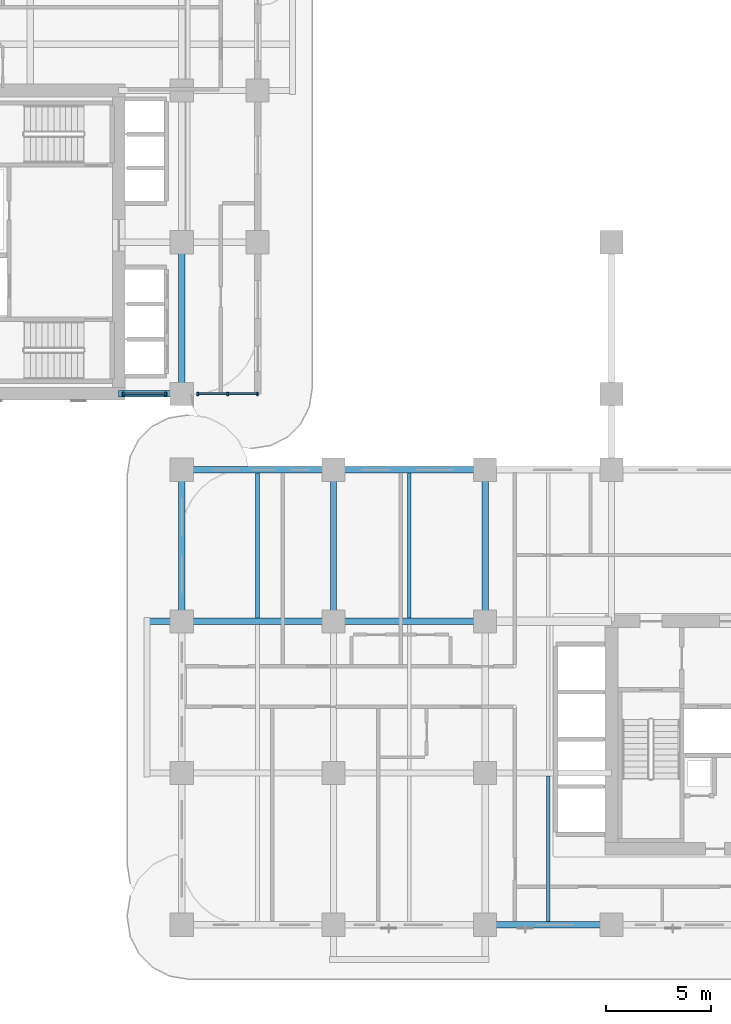
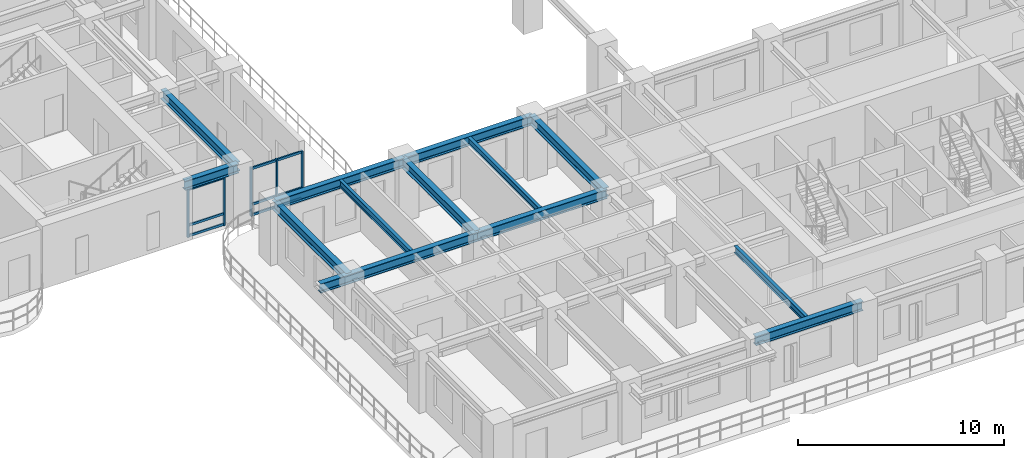
# One storey, part 2 of 19: 14 members, 13 beams, 2 elements without a shape of their own.
"""IFC4 building model written with IfcOpenShell, lengths in metres."""

from ifc_helpers import new_model, si_unit, derived_unit, direction, frame, origin, origin_2d, place, context, subcontext, project, spatial, rectangle, i_section, extrude, source, transform, mapped, material, layer, layer_set, material_profile, profile_set, type_object, type_shapes, element, aggregate, save


model = new_model("IFC4")

# Units and contexts
model_context = context("Model", 3, precision=1e-05, world=origin(), true_north=direction((0.0, 1.0)))
body_context = subcontext(model_context, "Body", "Model", "MODEL_VIEW")
ifc_project = project(units=[si_unit("LENGTHUNIT", "METRE"), si_unit("AREAUNIT", "SQUARE_METRE"), si_unit("VOLUMEUNIT", "CUBIC_METRE"), si_unit("PLANEANGLEUNIT", "RADIAN"), si_unit("MASSUNIT", "GRAM", prefix="KILO"), si_unit("THERMODYNAMICTEMPERATUREUNIT", "KELVIN"), si_unit("POWERUNIT", "WATT"), derived_unit("THERMALTRANSMITTANCEUNIT", [(si_unit("POWERUNIT", "WATT"), 1), (si_unit("AREAUNIT", "SQUARE_METRE"), -1), (si_unit("THERMODYNAMICTEMPERATUREUNIT", "KELVIN"), -1)])], contexts=[model_context])

# Site, building, storey
site_placement = place(None, origin())
site = spatial("IfcSite", under=ifc_project, at=site_placement, CompositionType="ELEMENT")
building_placement = place(site_placement, origin())
building = spatial("IfcBuilding", under=site, at=building_placement, Name="Zahravan Archway Hotel and Residences", CompositionType="ELEMENT")
storey_placement = place(building_placement, frame((0.0, 0.0, 54.60009765625)))
storey = spatial("IfcBuildingStorey", under=building, at=storey_placement, Name="L12", CompositionType="ELEMENT", Elevation=54.60009765625)

# Beams
ifc_material_1 = material(Name="Structural Steel S355JR", Category="steel")
ifc_material_profile_1 = material_profile(ifc_material_1, i_section(OverallWidth=0.300048828125, OverallDepth=0.550048828125, WebThickness=0.014892578125, FlangeThickness=0.029052734375, FilletRadius=0.027099609375, at=origin_2d()), Name="HEB 550", Category="steel")
ifc_profile_set_1 = profile_set([ifc_material_profile_1], Name="Structural Steel S355JR")
beam_type_1 = type_object("IfcBeamType", Name="BM-PRI-HEB550", PredefinedType="BEAM", material=ifc_profile_set_1)
shared_shape_1 = source(origin(), body_context, "Body", "SweptSolid", [
    extrude(i_section(OverallWidth=0.300048828125, OverallDepth=0.550048828125, WebThickness=0.014892578125, FlangeThickness=0.029052734375, FilletRadius=0.027099609375, at=origin_2d()), origin(), (0.0, 0.0, 1.0), 7.2001953125),
])
type_shapes(beam_type_1, [shared_shape_1])
for number, where, z_axis, x_axis, name in (
    (1, (14.39990234375, 21.60009765625, 3.1748046875), (1.0, 0.0, 0.0), (0.0, 1.0, 0.0), "L12 Primary Girder EW-14"),
    (2, (14.39990234375, 14.39990234375, 3.1748046875), (0.0, 1.0, 0.0), (-1.0, 0.0, 0.0), "L12 Primary Girder NS-33"),
    (3, (21.60009765625, 14.39990234375, 3.1748046875), (0.0, 1.0, 0.0), (-1.0, 0.0, 0.0), "L12 Primary Girder NS-39"),
    (4, (28.800048828125, 14.39990234375, 3.1748046875), (0.0, 1.0, 0.0), (-1.0, 0.0, 0.0), "L12 Primary Girder NS-42"),
):
    element("IfcBeam", number, at=place(storey_placement, frame(where, z_axis=z_axis, x_axis=x_axis)), inside=storey, type_object=beam_type_1, Name=name, PredefinedType="BEAM", context=body_context, shape_type="MappedRepresentation", body=[
        mapped(shared_shape_1, transform((0.0, 0.0, 0.0), scale=1.0)),
    ])
shared_shape_2 = source(origin(), body_context, "Body", "SweptSolid", [
    extrude(i_section(OverallWidth=0.300048828125, OverallDepth=0.550048828125, WebThickness=0.014892578125, FlangeThickness=0.029052734375, FilletRadius=0.027099609375, at=origin_2d()), origin(), (0.0, 0.0, 1.0), 7.199951171875),
])
for number, where, z_axis, x_axis, name in (
    (5, (21.60009765625, 14.39990234375, 3.1748046875), (1.0, 0.0, 0.0), (0.0, 1.0, 0.0), "L12 Primary Girder EW-12"),
    (6, (21.60009765625, 21.60009765625, 3.1748046875), (1.0, 0.0, 0.0), (0.0, 1.0, 0.0), "L12 Primary Girder EW-15"),
    (7, (14.39990234375, 25.199951171875, 3.1748046875), (0.0, 1.0, 0.0), (-1.0, 0.0, 0.0), "L12 Primary Girder NS-34"),
):
    element("IfcBeam", number, at=place(storey_placement, frame(where, z_axis=z_axis, x_axis=x_axis)), inside=storey, type_object=beam_type_1, Name=name, PredefinedType="BEAM", context=body_context, shape_type="MappedRepresentation", body=[
        mapped(shared_shape_2, transform((0.0, 0.0, 0.0), scale=1.0)),
    ])
shared_shape_3 = source(origin(), body_context, "Body", "SweptSolid", [
    extrude(i_section(OverallWidth=0.300048828125, OverallDepth=0.550048828125, WebThickness=0.014892578125, FlangeThickness=0.029052734375, FilletRadius=0.027099609375, at=origin_2d()), origin(), (0.0, 0.0, 1.0), 6.0),
])
beam_1_placement = place(storey_placement, frame((28.800048828125, 0.0, 3.1748046875), z_axis=(1.0, 0.0, 0.0), x_axis=(0.0, 1.0, 0.0)))
element("IfcBeam", 8, at=beam_1_placement, inside=storey, type_object=beam_type_1, Name="L12 Primary Girder EW-03", PredefinedType="BEAM", context=body_context, shape_type="MappedRepresentation", body=[
    mapped(shared_shape_3, transform((0.0, 0.0, 0.0), scale=1.0)),
])
shared_shape_4 = source(origin(), body_context, "Body", "SweptSolid", [
    extrude(i_section(OverallWidth=0.300048828125, OverallDepth=0.550048828125, WebThickness=0.014892578125, FlangeThickness=0.029052734375, FilletRadius=0.027099609375, at=origin_2d()), origin(), (0.0, 0.0, 1.0), 8.85009765625),
])
beam_2_placement = place(storey_placement, frame((12.75, 14.39990234375, 3.1748046875), z_axis=(1.0, 0.0, 0.0), x_axis=(0.0, 1.0, 0.0)))
element("IfcBeam", 9, at=beam_2_placement, inside=storey, type_object=beam_type_1, Name="L12 Primary Girder EW-11", PredefinedType="BEAM", context=body_context, shape_type="MappedRepresentation", body=[
    mapped(shared_shape_4, transform((0.0, 0.0, 0.0), scale=1.0)),
])
shared_shape_5 = source(origin(), body_context, "Body", "SweptSolid", [
    extrude(i_section(OverallWidth=0.300048828125, OverallDepth=0.550048828125, WebThickness=0.014892578125, FlangeThickness=0.029052734375, FilletRadius=0.027099609375, at=origin_2d()), origin(), (0.0, 0.0, 1.0), 3.0),
])
beam_3_placement = place(storey_placement, frame((11.39990234375, 25.199951171875, 3.1748046875), z_axis=(1.0, 0.0, 0.0), x_axis=(0.0, 1.0, 0.0)))
element("IfcBeam", 10, at=beam_3_placement, inside=storey, type_object=beam_type_1, Name="L12 Primary Girder EW-20", PredefinedType="BEAM", context=body_context, shape_type="MappedRepresentation", body=[
    mapped(shared_shape_5, transform((0.0, 0.0, 0.0), scale=1.0)),
])
ifc_material_profile_2 = material_profile(ifc_material_1, i_section(OverallWidth=0.179931640625, OverallDepth=0.39990234375, WebThickness=0.008544921875, FlangeThickness=0.013427734375, FilletRadius=0.02099609375, at=origin_2d()), Name="IPE 400", Category="steel")
ifc_profile_set_2 = profile_set([ifc_material_profile_2], Name="Structural Steel S355JR")
beam_type_2 = type_object("IfcBeamType", Name="BM-JST-IPE400", PredefinedType="JOIST", material=ifc_profile_set_2)
shared_shape_6 = source(origin(), body_context, "Body", "SweptSolid", [
    extrude(i_section(OverallWidth=0.179931640625, OverallDepth=0.39990234375, WebThickness=0.008544921875, FlangeThickness=0.013427734375, FilletRadius=0.02099609375, at=origin_2d()), origin(), (0.0, 0.0, 1.0), 6.904052734375),
])
type_shapes(beam_type_2, [shared_shape_6])
beam_4_placement = place(storey_placement, frame((31.800048828125, 0.14794921875, 3.25), z_axis=(0.0, 1.0, 0.0), x_axis=(-1.0, 0.0, 0.0)))
element("IfcBeam", 11, at=beam_4_placement, inside=storey, type_object=beam_type_2, Name="L12 Composite Floor Joist 03", PredefinedType="JOIST", context=body_context, shape_type="MappedRepresentation", body=[
    mapped(shared_shape_6, transform((0.0, 0.0, 0.0), scale=1.0)),
])
shared_shape_7 = source(origin(), body_context, "Body", "SweptSolid", [
    extrude(i_section(OverallWidth=0.179931640625, OverallDepth=0.39990234375, WebThickness=0.008544921875, FlangeThickness=0.013427734375, FilletRadius=0.02099609375, at=origin_2d()), origin(), (0.0, 0.0, 1.0), 6.90380859375),
])
for number, where, z_axis, x_axis, name in (
    (12, (18.0, 14.548095703125, 3.25), (0.0, 1.0, 0.0), (-1.0, 0.0, 0.0), "L12 Composite Floor Joist 10"),
    (13, (25.199951171875, 14.548095703125, 3.25), (0.0, 1.0, 0.0), (-1.0, 0.0, 0.0), "L12 Composite Floor Joist 11"),
):
    element("IfcBeam", number, at=place(storey_placement, frame(where, z_axis=z_axis, x_axis=x_axis)), inside=storey, type_object=beam_type_2, Name=name, PredefinedType="JOIST", context=body_context, shape_type="MappedRepresentation", body=[
        mapped(shared_shape_7, transform((0.0, 0.0, 0.0), scale=1.0)),
    ])

# Curtain wall, members
ifc_material_2 = material(Name="Bronze-Anodized Unitised Aluminium & Low-E Glass", Category="aluminium")
ifc_layer = layer(ifc_material_2, 0.179931640625, Name="Bronze-Anodized Unitised Aluminium & Low-E Glass", Category="aluminium")
ifc_layer_set = layer_set([ifc_layer], Name="Bronze-Anodized Unitised Aluminium & Low-E Glass")
curtain_wall_type = type_object("IfcCurtainWallType", Name="CW-TWR-FEAT", PredefinedType="NOTDEFINED", material=ifc_layer_set)
curtain_wall_1_placement = place(storey_placement, origin())
curtain_wall_1 = element("IfcCurtainWall", 14, at=curtain_wall_1_placement, inside=storey, type_object=curtain_wall_type, Name="L12 Curtain Wall CW-L12-WB-SE-2", PredefinedType="NOTDEFINED")
ifc_material_3 = material(Name="Bronze-Anodized Extruded Aluminium", Category="aluminium")
ifc_material_profile_3 = material_profile(ifc_material_3, rectangle(XDim=0.080078125, YDim=0.139892578125, at=origin_2d()), Name="TRN 80x140", Category="aluminium")
ifc_profile_set_3 = profile_set([ifc_material_profile_3], Name="Bronze-Anodized Extruded Aluminium")
member_type_1 = type_object("IfcMemberType", Name="CWM-TRN-140", PredefinedType="USERDEFINED", material=ifc_profile_set_3)
shared_shape_8 = source(origin(), body_context, "Body", "SweptSolid", [
    extrude(rectangle(XDim=0.080078125, YDim=0.139892578125, at=origin_2d()), origin(), (0.0, 0.0, 1.0), 1.33984375),
])
member_1_placement = place(storey_placement, frame((16.6201171875, 25.199951171875, 0.06982421875), z_axis=(1.0, 0.0, 0.0), x_axis=(0.0, 1.0, 0.0)))
member_1 = element("IfcMember", 15, at=member_1_placement, type_object=member_type_1, Name="CW-L12-WB-SE-2 Transom 1-1", ObjectType="TRANSOM", PredefinedType="USERDEFINED", context=body_context, shape_type="MappedRepresentation", body=[
    mapped(shared_shape_8, transform((0.0, 0.0, 0.0), scale=1.0)),
])
member_2_placement = place(storey_placement, frame((16.6201171875, 25.199951171875, 0.6923828125), z_axis=(1.0, 0.0, 0.0), x_axis=(0.0, 1.0, 0.0)))
member_2 = element("IfcMember", 16, at=member_2_placement, type_object=member_type_1, Name="CW-L12-WB-SE-2 Transom 1-2", ObjectType="TRANSOM", PredefinedType="USERDEFINED", context=body_context, shape_type="MappedRepresentation", body=[
    mapped(shared_shape_8, transform((0.0, 0.0, 0.0), scale=1.0)),
])
member_3_placement = place(storey_placement, frame((16.6201171875, 25.199951171875, 2.81494140625), z_axis=(1.0, 0.0, 0.0), x_axis=(0.0, 1.0, 0.0)))
member_3 = element("IfcMember", 17, at=member_3_placement, type_object=member_type_1, Name="CW-L12-WB-SE-2 Transom 1-3", ObjectType="TRANSOM", PredefinedType="USERDEFINED", context=body_context, shape_type="MappedRepresentation", body=[
    mapped(shared_shape_8, transform((0.0, 0.0, 0.0), scale=1.0)),
])
shared_shape_9 = source(origin(), body_context, "Body", "SweptSolid", [
    extrude(rectangle(XDim=0.080078125, YDim=0.139892578125, at=origin_2d()), origin(), (0.0, 0.0, 1.0), 1.340087890625),
])
member_4_placement = place(storey_placement, frame((15.199951171875, 25.199951171875, 0.06982421875), z_axis=(1.0, 0.0, 0.0), x_axis=(0.0, 1.0, 0.0)))
member_4 = element("IfcMember", 18, at=member_4_placement, type_object=member_type_1, Name="CW-L12-WB-SE-2 Transom 0-1", ObjectType="TRANSOM", PredefinedType="USERDEFINED", context=body_context, shape_type="MappedRepresentation", body=[
    mapped(shared_shape_9, transform((0.0, 0.0, 0.0), scale=1.0)),
])
member_5_placement = place(storey_placement, frame((15.199951171875, 25.199951171875, 0.6923828125), z_axis=(1.0, 0.0, 0.0), x_axis=(0.0, 1.0, 0.0)))
member_5 = element("IfcMember", 19, at=member_5_placement, type_object=member_type_1, Name="CW-L12-WB-SE-2 Transom 0-2", ObjectType="TRANSOM", PredefinedType="USERDEFINED", context=body_context, shape_type="MappedRepresentation", body=[
    mapped(shared_shape_9, transform((0.0, 0.0, 0.0), scale=1.0)),
])
member_6_placement = place(storey_placement, frame((15.199951171875, 25.199951171875, 2.81494140625), z_axis=(1.0, 0.0, 0.0), x_axis=(0.0, 1.0, 0.0)))
member_6 = element("IfcMember", 20, at=member_6_placement, type_object=member_type_1, Name="CW-L12-WB-SE-2 Transom 0-3", ObjectType="TRANSOM", PredefinedType="USERDEFINED", context=body_context, shape_type="MappedRepresentation", body=[
    mapped(shared_shape_9, transform((0.0, 0.0, 0.0), scale=1.0)),
])

curtain_wall_2_placement = place(storey_placement, origin())
curtain_wall_2 = element("IfcCurtainWall", 21, at=curtain_wall_2_placement, inside=storey, type_object=curtain_wall_type, Name="L12 Curtain Wall CW-L12-WB-SE-1", PredefinedType="NOTDEFINED")
ifc_material_profile_4 = material_profile(ifc_material_3, rectangle(XDim=0.080078125, YDim=0.159912109375, at=origin_2d()), Name="MUL 80x160", Category="aluminium")
ifc_profile_set_4 = profile_set([ifc_material_profile_4], Name="Bronze-Anodized Extruded Aluminium")
member_type_2 = type_object("IfcMemberType", Name="CWM-MUL-160", PredefinedType="MULLION", material=ifc_profile_set_4)
shared_shape_10 = source(origin(), body_context, "Body", "SweptSolid", [
    extrude(rectangle(XDim=0.080078125, YDim=0.159912109375, at=origin_2d()), origin(), (0.0, 0.0, 1.0), 2.885009765625),
])
member_7_placement = place(storey_placement, frame((11.6201171875, 25.199951171875, 0.0), z_axis=(0.0, 0.0, 1.0), x_axis=(1.0, 0.0, 0.0)))
member_7 = element("IfcMember", 22, at=member_7_placement, type_object=member_type_2, Name="CW-L12-WB-SE-1 Mullion 0", PredefinedType="MULLION", context=body_context, shape_type="MappedRepresentation", body=[
    mapped(shared_shape_10, transform((0.0, 0.0, 0.0), scale=1.0)),
])
member_8_placement = place(storey_placement, frame((13.639892578125, 25.199951171875, 0.0), z_axis=(0.0, 0.0, 1.0), x_axis=(1.0, 0.0, 0.0)))
member_8 = element("IfcMember", 23, at=member_8_placement, type_object=member_type_2, Name="CW-L12-WB-SE-1 Mullion 1", PredefinedType="MULLION", context=body_context, shape_type="MappedRepresentation", body=[
    mapped(shared_shape_10, transform((0.0, 0.0, 0.0), scale=1.0)),
])

# Member
member_9_placement = place(storey_placement, frame((15.159912109375, 25.199951171875, 0.0), z_axis=(0.0, 0.0, 1.0), x_axis=(1.0, 0.0, 0.0)))
member_9 = element("IfcMember", 24, at=member_9_placement, type_object=member_type_2, Name="CW-L12-WB-SE-2 Mullion 0", PredefinedType="MULLION", context=body_context, shape_type="MappedRepresentation", body=[
    mapped(shared_shape_10, transform((0.0, 0.0, 0.0), scale=1.0)),
])

member_10_placement = place(storey_placement, frame((16.580078125, 25.199951171875, 0.0), z_axis=(0.0, 0.0, 1.0), x_axis=(1.0, 0.0, 0.0)))
member_10 = element("IfcMember", 25, at=member_10_placement, type_object=member_type_2, Name="CW-L12-WB-SE-2 Mullion 1", PredefinedType="MULLION", context=body_context, shape_type="MappedRepresentation", body=[
    mapped(shared_shape_10, transform((0.0, 0.0, 0.0), scale=1.0)),
])

member_11_placement = place(storey_placement, frame((18.0, 25.199951171875, 0.0), z_axis=(0.0, 0.0, 1.0), x_axis=(1.0, 0.0, 0.0)))
member_11 = element("IfcMember", 26, at=member_11_placement, type_object=member_type_2, Name="CW-L12-WB-SE-2 Mullion 2", PredefinedType="MULLION", context=body_context, shape_type="MappedRepresentation", body=[
    mapped(shared_shape_10, transform((0.0, 0.0, 0.0), scale=1.0)),
])

aggregate(curtain_wall_1, [member_9, member_10, member_11, member_4, member_5, member_6, member_1, member_2, member_3])

shared_shape_11 = source(origin(), body_context, "Body", "SweptSolid", [
    extrude(rectangle(XDim=0.080078125, YDim=0.139892578125, at=origin_2d()), origin(), (0.0, 0.0, 1.0), 1.940185546875),
])
member_12_placement = place(storey_placement, frame((11.659912109375, 25.199951171875, 0.06982421875), z_axis=(1.0, 0.0, 0.0), x_axis=(0.0, 1.0, 0.0)))
member_12 = element("IfcMember", 27, at=member_12_placement, type_object=member_type_1, Name="CW-L12-WB-SE-1 Transom 0-1", ObjectType="TRANSOM", PredefinedType="USERDEFINED", context=body_context, shape_type="MappedRepresentation", body=[
    mapped(shared_shape_11, transform((0.0, 0.0, 0.0), scale=1.0)),
])

member_13_placement = place(storey_placement, frame((11.659912109375, 25.199951171875, 0.6923828125), z_axis=(1.0, 0.0, 0.0), x_axis=(0.0, 1.0, 0.0)))
member_13 = element("IfcMember", 28, at=member_13_placement, type_object=member_type_1, Name="CW-L12-WB-SE-1 Transom 0-2", ObjectType="TRANSOM", PredefinedType="USERDEFINED", context=body_context, shape_type="MappedRepresentation", body=[
    mapped(shared_shape_11, transform((0.0, 0.0, 0.0), scale=1.0)),
])

member_14_placement = place(storey_placement, frame((11.659912109375, 25.199951171875, 2.81494140625), z_axis=(1.0, 0.0, 0.0), x_axis=(0.0, 1.0, 0.0)))
member_14 = element("IfcMember", 29, at=member_14_placement, type_object=member_type_1, Name="CW-L12-WB-SE-1 Transom 0-3", ObjectType="TRANSOM", PredefinedType="USERDEFINED", context=body_context, shape_type="MappedRepresentation", body=[
    mapped(shared_shape_11, transform((0.0, 0.0, 0.0), scale=1.0)),
])

aggregate(curtain_wall_2, [member_7, member_8, member_12, member_13, member_14])

save(model, "model.ifc")
